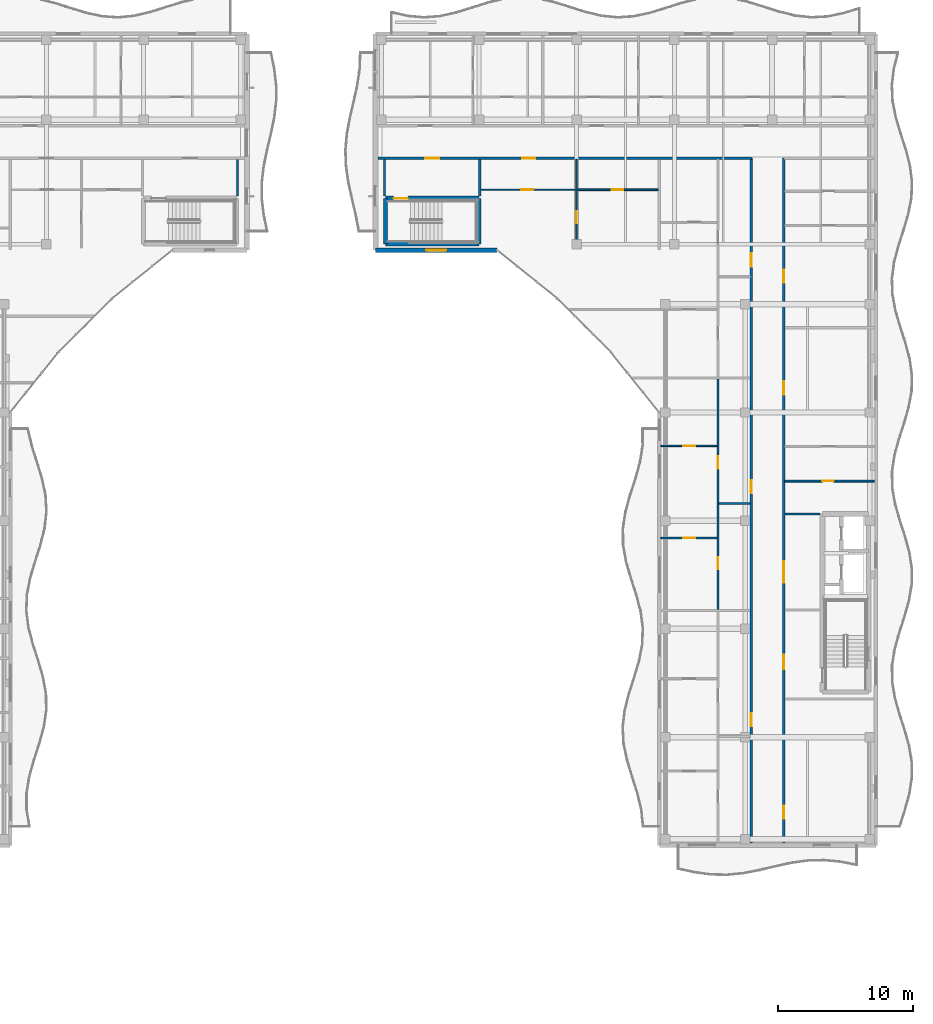
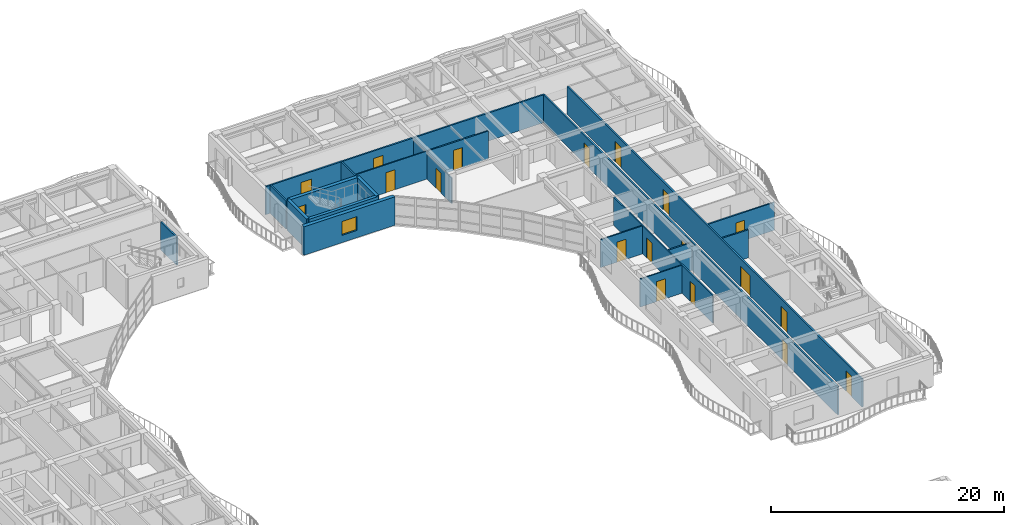
# One storey, part 60 of 89: 20 walls, 19 doors, 1 window, 20 openings.
"""IFC4 building model written with IfcOpenShell, lengths in metres."""

from ifc_helpers import new_model, si_unit, direction, frame, frame_2d, origin, place, context, subcontext, project, spatial, rectangle, extrude, material, layer, layer_set, type_object, element, fill, save


model = new_model("IFC4")

# Units and contexts
model_context = context("Model", 3, precision=1e-05, world=origin(), true_north=direction((0.0, 1.0)))
body_context = subcontext(model_context, "Body", "Model", "MODEL_VIEW")
ifc_project = project(units=[si_unit("LENGTHUNIT", "METRE"), si_unit("AREAUNIT", "SQUARE_METRE"), si_unit("VOLUMEUNIT", "CUBIC_METRE"), si_unit("PLANEANGLEUNIT", "RADIAN"), si_unit("MASSUNIT", "GRAM", prefix="KILO")], contexts=[model_context])

# Site, building, storey
site_placement = place(None, origin())
site = spatial("IfcSite", under=ifc_project, at=site_placement, CompositionType="ELEMENT")
building_placement = place(site_placement, origin())
building = spatial("IfcBuilding", under=site, at=building_placement, Name="Keldmere Railside Commons", CompositionType="ELEMENT")
storey_placement = place(building_placement, frame((0.0, 0.0, 7.360107421875)))
storey = spatial("IfcBuildingStorey", under=building, at=storey_placement, Name="L02", CompositionType="ELEMENT", Elevation=7.360107421875)

# Wall, openings, doors
ifc_material_1 = material(Name="Acoustic Gypsum Board Partition", Category="gypsum")
ifc_layer_1 = layer(ifc_material_1, 0.1201171875, Name="Apartment Interior Partition 120")
ifc_layer_set_1 = layer_set([ifc_layer_1], Name="Acoustic Gypsum Board Partition")
wall_type_1 = type_object("IfcWallType", Name="Apartment Interior Partition 120", PredefinedType="PARTITIONING", material=ifc_layer_set_1)
wall_1_placement = place(storey_placement, frame((172.340087890625, 73.449951171875, 0.0), z_axis=(0.0, 0.0, 1.0), x_axis=(0.0, 1.0, 0.0)))
wall_1 = element("IfcWall", 1, at=wall_1_placement, inside=storey, type_object=wall_type_1, Name="IW-4 IW-L02-1479", PredefinedType="PARTITIONING", context=body_context, shape_type="SweptSolid", body=[
    extrude(rectangle(XDim=17.010009765625, YDim=0.1201171875, at=frame_2d((8.5048828125, 0.0))), origin(), (0.0, 0.0, 1.0), 2.934814453125),
])
opening_1_placement = place(wall_1_placement, frame((2.9716796875, 0.0, 0.0)))
opening_1 = element("IfcOpeningElement", 2, at=opening_1_placement, cuts=wall_1, Name="Opening ID-04", PredefinedType="OPENING", context=body_context, shape_type="SweptSolid", body=[
    extrude(rectangle(XDim=0.860107421875, YDim=2.10009765625, at=frame_2d((0.43017578125, 1.050048828125))), frame((0.0, 0.070068359375, 0.0), z_axis=(0.0, -1.0, 0.0), x_axis=(1.0, 0.0, 0.0)), (0.0, 0.0, 1.0), 0.14013671875),
])
opening_2_placement = place(wall_1_placement, frame((10.393310546875, 0.0, 0.0)))
opening_2 = element("IfcOpeningElement", 3, at=opening_2_placement, cuts=wall_1, Name="Opening ID-03", PredefinedType="OPENING", context=body_context, shape_type="SweptSolid", body=[
    extrude(rectangle(XDim=0.919921875, YDim=2.10009765625, at=frame_2d((0.4599609375, 1.050048828125))), frame((0.0, 0.070068359375, 0.0), z_axis=(0.0, -1.0, 0.0), x_axis=(1.0, 0.0, 0.0)), (0.0, 0.0, 1.0), 0.14013671875),
])
ifc_material_2 = material(Name="Engineered Oak Timber", Category="wood")
door_type_1 = type_object("IfcDoorType", Name="Apartment Bathroom Door 860x2100", OperationType="NOTDEFINED", PredefinedType="DOOR", material=ifc_material_2)
door_1_placement = place(opening_1_placement, origin())
door_1 = element("IfcDoor", 4, at=door_1_placement, inside=storey, type_object=door_type_1, Name="ID-04 IDR-L02-1323", OperationType="SINGLE_SWING_LEFT", OverallHeight=2.10009765625, OverallWidth=0.860107421875, PredefinedType="DOOR", context=body_context, shape_type="SweptSolid", body=[
    extrude(rectangle(XDim=0.860107421875, YDim=2.10009765625, at=frame_2d((0.43017578125, 1.050048828125))), frame((0.0, 0.02490234375, 0.0), z_axis=(0.0, -1.0, 0.0), x_axis=(1.0, 0.0, 0.0)), (0.0, 0.0, 1.0), 0.050048828125),
])
fill(opening_1, door_1)
door_type_2 = type_object("IfcDoorType", Name="Kitchen Pocket-Frame Swing Door 920x2100", OperationType="NOTDEFINED", PredefinedType="DOOR", material=ifc_material_2)
door_2_placement = place(opening_2_placement, origin())
door_2 = element("IfcDoor", 5, at=door_2_placement, inside=storey, type_object=door_type_2, Name="ID-03 IDR-L02-1324", OperationType="SINGLE_SWING_RIGHT", OverallHeight=2.10009765625, OverallWidth=0.919921875, PredefinedType="DOOR", context=body_context, shape_type="SweptSolid", body=[
    extrude(rectangle(XDim=0.919921875, YDim=2.10009765625, at=frame_2d((0.4599609375, 1.050048828125))), frame((0.0, 0.02490234375, 0.0), z_axis=(0.0, -1.0, 0.0), x_axis=(1.0, 0.0, 0.0)), (0.0, 0.0, 1.0), 0.050048828125),
])
fill(opening_2, door_2)

# Wall, opening, door
wall_2_placement = place(storey_placement, frame((168.1201171875, 78.719970703125, 0.0), z_axis=(0.0, 0.0, 1.0), x_axis=(1.0, 0.0, 0.0)))
wall_2 = element("IfcWall", 6, at=wall_2_placement, inside=storey, type_object=wall_type_1, Name="IW-4 IW-L02-1481", PredefinedType="PARTITIONING", context=body_context, shape_type="SweptSolid", body=[
    extrude(rectangle(XDim=4.159912109375, YDim=0.1201171875, at=frame_2d((2.080078125, 0.0))), origin(), (0.0, 0.0, 1.0), 2.934814453125),
])
opening_3_placement = place(wall_2_placement, frame((1.6298828125, 0.0, 0.0)))
opening_3 = element("IfcOpeningElement", 7, at=opening_3_placement, cuts=wall_2, Name="Opening ID-01", PredefinedType="OPENING", context=body_context, shape_type="SweptSolid", body=[
    extrude(rectangle(XDim=0.89990234375, YDim=2.10009765625, at=frame_2d((0.449951171875, 1.050048828125))), frame((0.0, 0.070068359375, 0.0), z_axis=(0.0, -1.0, 0.0), x_axis=(1.0, 0.0, 0.0)), (0.0, 0.0, 1.0), 0.14013671875),
])
door_type_3 = type_object("IfcDoorType", Name="Primary Bedroom Door 900x2100", OperationType="NOTDEFINED", PredefinedType="DOOR", material=ifc_material_2)
door_3_placement = place(opening_3_placement, origin())
door_3 = element("IfcDoor", 8, at=door_3_placement, inside=storey, type_object=door_type_3, Name="ID-01 IDR-L02-1326", OperationType="SINGLE_SWING_RIGHT", OverallHeight=2.10009765625, OverallWidth=0.89990234375, PredefinedType="DOOR", context=body_context, shape_type="SweptSolid", body=[
    extrude(rectangle(XDim=0.89990234375, YDim=2.10009765625, at=frame_2d((0.449951171875, 1.050048828125))), frame((0.0, 0.02490234375, 0.0), z_axis=(0.0, -1.0, 0.0), x_axis=(1.0, 0.0, 0.0)), (0.0, 0.0, 1.0), 0.050048828125),
])
fill(opening_3, door_3)

wall_3_placement = place(storey_placement, frame((168.1201171875, 85.530029296875, 0.0), z_axis=(0.0, 0.0, 1.0), x_axis=(1.0, 0.0, 0.0)))
wall_3 = element("IfcWall", 9, at=wall_3_placement, inside=storey, type_object=wall_type_1, Name="IW-4 IW-L02-1482", PredefinedType="PARTITIONING", context=body_context, shape_type="SweptSolid", body=[
    extrude(rectangle(XDim=4.159912109375, YDim=0.1201171875, at=frame_2d((2.080078125, 0.0))), origin(), (0.0, 0.0, 1.0), 2.934814453125),
])
opening_4_placement = place(wall_3_placement, frame((1.639892578125, 0.0, 0.0)))
opening_4 = element("IfcOpeningElement", 10, at=opening_4_placement, cuts=wall_3, Name="Opening ID-02", PredefinedType="OPENING", context=body_context, shape_type="SweptSolid", body=[
    extrude(rectangle(XDim=0.8798828125, YDim=2.10009765625, at=frame_2d((0.43994140625, 1.050048828125))), frame((0.0, 0.070068359375, 0.0), z_axis=(0.0, -1.0, 0.0), x_axis=(1.0, 0.0, 0.0)), (0.0, 0.0, 1.0), 0.14013671875),
])
door_type_4 = type_object("IfcDoorType", Name="Secondary Bedroom Door 880x2100", OperationType="NOTDEFINED", PredefinedType="DOOR", material=ifc_material_2)
door_4_placement = place(opening_4_placement, origin())
door_4 = element("IfcDoor", 11, at=door_4_placement, inside=storey, type_object=door_type_4, Name="ID-02 IDR-L02-1327", OperationType="SINGLE_SWING_LEFT", OverallHeight=2.10009765625, OverallWidth=0.8798828125, PredefinedType="DOOR", context=body_context, shape_type="SweptSolid", body=[
    extrude(rectangle(XDim=0.8798828125, YDim=2.10009765625, at=frame_2d((0.43994140625, 1.050048828125))), frame((0.0, 0.02490234375, 0.0), z_axis=(0.0, -1.0, 0.0), x_axis=(1.0, 0.0, 0.0)), (0.0, 0.0, 1.0), 0.050048828125),
])
fill(opening_4, door_4)

wall_4_placement = place(storey_placement, frame((161.8798828125, 100.179931640625, 0.0), z_axis=(0.0, 0.0, 1.0), x_axis=(0.0, 1.0, 0.0)))
wall_4 = element("IfcWall", 12, at=wall_4_placement, inside=storey, type_object=wall_type_1, Name="IW-4 IW-L02-1498", PredefinedType="PARTITIONING", context=body_context, shape_type="SweptSolid", body=[
    extrude(rectangle(XDim=6.5400390625, YDim=0.1201171875, at=frame_2d((3.27001953125, 0.0))), origin(), (0.0, 0.0, 1.0), 2.679931640625),
])
opening_5_placement = place(wall_4_placement, frame((1.8017578125, 0.0, 0.0)))
opening_5 = element("IfcOpeningElement", 13, at=opening_5_placement, cuts=wall_4, Name="Opening ID-02", PredefinedType="OPENING", context=body_context, shape_type="SweptSolid", body=[
    extrude(rectangle(XDim=0.8798828125, YDim=2.10009765625, at=frame_2d((0.43994140625, 1.050048828125))), frame((0.0, 0.070068359375, 0.0), z_axis=(0.0, -1.0, 0.0), x_axis=(1.0, 0.0, 0.0)), (0.0, 0.0, 1.0), 0.14013671875),
])
door_5_placement = place(opening_5_placement, origin())
door_5 = element("IfcDoor", 14, at=door_5_placement, inside=storey, type_object=door_type_4, Name="ID-02 IDR-L02-1350", OperationType="SINGLE_SWING_RIGHT", OverallHeight=2.10009765625, OverallWidth=0.8798828125, PredefinedType="DOOR", context=body_context, shape_type="SweptSolid", body=[
    extrude(rectangle(XDim=0.8798828125, YDim=2.10009765625, at=frame_2d((0.43994140625, 1.050048828125))), frame((0.0, 0.02490234375, 0.0), z_axis=(0.0, -1.0, 0.0), x_axis=(1.0, 0.0, 0.0)), (0.0, 0.0, 1.0), 0.050048828125),
])
fill(opening_5, door_5)

ifc_layer_2 = layer(ifc_material_1, 0.10009765625, Name="Closet Light Partition 100")
ifc_layer_set_2 = layer_set([ifc_layer_2], Name="Acoustic Gypsum Board Partition")
wall_type_2 = type_object("IfcWallType", Name="Closet Light Partition 100", PredefinedType="PARTITIONING", material=ifc_layer_set_2)
wall_5_placement = place(storey_placement, frame((154.800048828125, 104.469970703125, 0.0), z_axis=(0.0, 0.0, 1.0), x_axis=(1.0, 0.0, 0.0)))
wall_5 = element("IfcWall", 15, at=wall_5_placement, inside=storey, type_object=wall_type_2, Name="IW-6 IW-L02-1500", PredefinedType="PARTITIONING", context=body_context, shape_type="SweptSolid", body=[
    extrude(rectangle(XDim=7.02001953125, YDim=0.10009765625, at=frame_2d((3.510009765625, 0.0))), origin(), (0.0, 0.0, 1.0), 2.934814453125),
])
opening_6_placement = place(wall_5_placement, frame((2.9736328125, 0.0, 0.0)))
opening_6 = element("IfcOpeningElement", 16, at=opening_6_placement, cuts=wall_5, Name="Opening ID-03", PredefinedType="OPENING", context=body_context, shape_type="SweptSolid", body=[
    extrude(rectangle(XDim=0.919921875, YDim=2.10009765625, at=frame_2d((0.4599609375, 1.050048828125))), frame((0.0, 0.06005859375, 0.0), z_axis=(0.0, -1.0, 0.0), x_axis=(1.0, 0.0, 0.0)), (0.0, 0.0, 1.0), 0.1201171875),
])
door_6_placement = place(opening_6_placement, origin())
door_6 = element("IfcDoor", 17, at=door_6_placement, inside=storey, type_object=door_type_2, Name="ID-03 IDR-L02-1349", OperationType="SINGLE_SWING_LEFT", OverallHeight=2.10009765625, OverallWidth=0.919921875, PredefinedType="DOOR", context=body_context, shape_type="SweptSolid", body=[
    extrude(rectangle(XDim=0.919921875, YDim=2.10009765625, at=frame_2d((0.4599609375, 1.050048828125))), frame((0.0, 0.02490234375, 0.0), z_axis=(0.0, -1.0, 0.0), x_axis=(1.0, 0.0, 0.0)), (0.0, 0.0, 1.0), 0.050048828125),
])
fill(opening_6, door_6)

# Wall, openings, doors
ifc_layer_3 = layer(ifc_material_1, 0.159912109375, Name="Corridor Fire Partition 160")
ifc_layer_set_3 = layer_set([ifc_layer_3], Name="Acoustic Gypsum Board Partition")
wall_type_3 = type_object("IfcWallType", Name="Corridor Fire Partition 160", PredefinedType="PARTITIONING", material=ifc_layer_set_3)
wall_6_placement = place(storey_placement, frame((174.800048828125, 56.179931640625, 0.0), z_axis=(0.0, 0.0, 1.0), x_axis=(0.0, 1.0, 0.0)))
wall_6 = element("IfcWall", 18, at=wall_6_placement, inside=storey, type_object=wall_type_3, Name="IW-2 IW-L02-1465", PredefinedType="PARTITIONING", context=body_context, shape_type="SweptSolid", body=[
    extrude(rectangle(XDim=50.6201171875, YDim=0.159912109375, at=frame_2d((25.31005859375, 0.0))), origin(), (0.0, 0.0, 1.0), 2.934814453125),
])
opening_7_placement = place(wall_6_placement, frame((8.610107421875, 0.0, 0.0)))
opening_7 = element("IfcOpeningElement", 19, at=opening_7_placement, cuts=wall_6, Name="Opening FD-7", PredefinedType="OPENING", context=body_context, shape_type="SweptSolid", body=[
    extrude(rectangle(XDim=0.97998046875, YDim=2.14990234375, at=frame_2d((0.489990234375, 1.074951171875))), frame((0.0, 0.08984375, 0.0), z_axis=(0.0, -1.0, 0.0), x_axis=(1.0, 0.0, 0.0)), (0.0, 0.0, 1.0), 0.179931640625),
])
opening_8_placement = place(wall_6_placement, frame((25.840087890625, 0.0, 0.0)))
opening_8 = element("IfcOpeningElement", 20, at=opening_8_placement, cuts=wall_6, Name="Opening FD-7", PredefinedType="OPENING", context=body_context, shape_type="SweptSolid", body=[
    extrude(rectangle(XDim=0.97998046875, YDim=2.14990234375, at=frame_2d((0.489990234375, 1.074951171875))), frame((0.0, 0.08984375, 0.0), z_axis=(0.0, -1.0, 0.0), x_axis=(1.0, 0.0, 0.0)), (0.0, 0.0, 1.0), 0.179931640625),
])
opening_9_placement = place(wall_6_placement, frame((42.610107421875, 0.0, 0.0)))
opening_9 = element("IfcOpeningElement", 21, at=opening_9_placement, cuts=wall_6, Name="Opening FD-7", PredefinedType="OPENING", context=body_context, shape_type="SweptSolid", body=[
    extrude(rectangle(XDim=0.97998046875, YDim=2.14990234375, at=frame_2d((0.489990234375, 1.074951171875))), frame((0.0, 0.08984375, 0.0), z_axis=(0.0, -1.0, 0.0), x_axis=(1.0, 0.0, 0.0)), (0.0, 0.0, 1.0), 0.179931640625),
])
door_type_5 = type_object("IfcDoorType", Name="Apartment Entrance Acoustic Fire Door 980x2150", OperationType="NOTDEFINED", PredefinedType="DOOR", material=ifc_material_2)
door_7_placement = place(opening_7_placement, origin())
door_7 = element("IfcDoor", 22, at=door_7_placement, inside=storey, type_object=door_type_5, Name="FD-7 IDR-L02-1320", OperationType="SINGLE_SWING_RIGHT", OverallHeight=2.14990234375, OverallWidth=0.97998046875, PredefinedType="DOOR", context=body_context, shape_type="SweptSolid", body=[
    extrude(rectangle(XDim=0.97998046875, YDim=2.14990234375, at=frame_2d((0.489990234375, 1.074951171875))), frame((0.0, 0.02490234375, 0.0), z_axis=(0.0, -1.0, 0.0), x_axis=(1.0, 0.0, 0.0)), (0.0, 0.0, 1.0), 0.050048828125),
])
fill(opening_7, door_7)
door_8_placement = place(opening_8_placement, origin())
door_8 = element("IfcDoor", 23, at=door_8_placement, inside=storey, type_object=door_type_5, Name="FD-7 IDR-L02-1325", OperationType="SINGLE_SWING_LEFT", OverallHeight=2.14990234375, OverallWidth=0.97998046875, PredefinedType="DOOR", context=body_context, shape_type="SweptSolid", body=[
    extrude(rectangle(XDim=0.97998046875, YDim=2.14990234375, at=frame_2d((0.489990234375, 1.074951171875))), frame((0.0, 0.02490234375, 0.0), z_axis=(0.0, -1.0, 0.0), x_axis=(1.0, 0.0, 0.0)), (0.0, 0.0, 1.0), 0.050048828125),
])
fill(opening_8, door_8)
door_9_placement = place(opening_9_placement, origin())
door_9 = element("IfcDoor", 24, at=door_9_placement, inside=storey, type_object=door_type_5, Name="FD-7 IDR-L02-1330", OperationType="SINGLE_SWING_RIGHT", OverallHeight=2.14990234375, OverallWidth=0.97998046875, PredefinedType="DOOR", context=body_context, shape_type="SweptSolid", body=[
    extrude(rectangle(XDim=0.97998046875, YDim=2.14990234375, at=frame_2d((0.489990234375, 1.074951171875))), frame((0.0, 0.02490234375, 0.0), z_axis=(0.0, -1.0, 0.0), x_axis=(1.0, 0.0, 0.0)), (0.0, 0.0, 1.0), 0.050048828125),
])
fill(opening_9, door_9)

wall_7_placement = place(storey_placement, frame((177.199951171875, 56.179931640625, 0.0), z_axis=(0.0, 0.0, 1.0), x_axis=(0.0, 1.0, 0.0)))
wall_7 = element("IfcWall", 25, at=wall_7_placement, inside=storey, type_object=wall_type_3, Name="IW-2 IW-L02-1466", PredefinedType="PARTITIONING", context=body_context, shape_type="SweptSolid", body=[
    extrude(rectangle(XDim=50.6201171875, YDim=0.159912109375, at=frame_2d((25.31005859375, 0.0))), origin(), (0.0, 0.0, 1.0), 2.934814453125),
])
opening_10_placement = place(wall_7_placement, frame((12.820068359375, 0.0, 0.0)))
opening_10 = element("IfcOpeningElement", 26, at=opening_10_placement, cuts=wall_7, Name="Opening FD-2", PredefinedType="OPENING", context=body_context, shape_type="SweptSolid", body=[
    extrude(rectangle(XDim=1.10009765625, YDim=2.14990234375, at=frame_2d((0.550048828125, 1.074951171875))), frame((0.0, 0.08984375, 0.0), z_axis=(0.0, -1.0, 0.0), x_axis=(1.0, 0.0, 0.0)), (0.0, 0.0, 1.0), 0.179931640625),
])
opening_11_placement = place(wall_7_placement, frame((19.219970703125, 0.0, 0.0)))
opening_11 = element("IfcOpeningElement", 27, at=opening_11_placement, cuts=wall_7, Name="Opening FD-4", PredefinedType="OPENING", context=body_context, shape_type="SweptSolid", body=[
    extrude(rectangle(XDim=1.60009765625, YDim=2.14990234375, at=frame_2d((0.800048828125, 1.074951171875))), frame((0.0, 0.08984375, 0.0), z_axis=(0.0, -1.0, 0.0), x_axis=(1.0, 0.0, 0.0)), (0.0, 0.0, 1.0), 0.179931640625),
])
opening_12_placement = place(wall_7_placement, frame((1.800048828125, 0.0, 0.0)))
opening_12 = element("IfcOpeningElement", 28, at=opening_12_placement, cuts=wall_7, Name="Opening ID-08", PredefinedType="OPENING", context=body_context, shape_type="SweptSolid", body=[
    extrude(rectangle(XDim=0.9599609375, YDim=2.14990234375, at=frame_2d((0.47998046875, 1.074951171875))), frame((0.0, 0.08984375, 0.0), z_axis=(0.0, -1.0, 0.0), x_axis=(1.0, 0.0, 0.0)), (0.0, 0.0, 1.0), 0.179931640625),
])
opening_13_placement = place(wall_7_placement, frame((33.14990234375, 0.0, 0.0)))
opening_13 = element("IfcOpeningElement", 29, at=opening_13_placement, cuts=wall_7, Name="Opening FD-7", PredefinedType="OPENING", context=body_context, shape_type="SweptSolid", body=[
    extrude(rectangle(XDim=0.97998046875, YDim=2.14990234375, at=frame_2d((0.489990234375, 1.074951171875))), frame((0.0, 0.08984375, 0.0), z_axis=(0.0, -1.0, 0.0), x_axis=(1.0, 0.0, 0.0)), (0.0, 0.0, 1.0), 0.179931640625),
])
opening_14_placement = place(wall_7_placement, frame((41.409912109375, 0.0, 0.0)))
opening_14 = element("IfcOpeningElement", 30, at=opening_14_placement, cuts=wall_7, Name="Opening FD-7", PredefinedType="OPENING", context=body_context, shape_type="SweptSolid", body=[
    extrude(rectangle(XDim=0.97998046875, YDim=2.14990234375, at=frame_2d((0.489990234375, 1.074951171875))), frame((0.0, 0.08984375, 0.0), z_axis=(0.0, -1.0, 0.0), x_axis=(1.0, 0.0, 0.0)), (0.0, 0.0, 1.0), 0.179931640625),
])
door_10_placement = place(opening_13_placement, origin())
door_10 = element("IfcDoor", 31, at=door_10_placement, inside=storey, type_object=door_type_5, Name="FD-7 IDR-L02-1355", OperationType="SINGLE_SWING_LEFT", OverallHeight=2.14990234375, OverallWidth=0.97998046875, PredefinedType="DOOR", context=body_context, shape_type="SweptSolid", body=[
    extrude(rectangle(XDim=0.97998046875, YDim=2.14990234375, at=frame_2d((0.489990234375, 1.074951171875))), frame((0.0, 0.02490234375, 0.0), z_axis=(0.0, -1.0, 0.0), x_axis=(1.0, 0.0, 0.0)), (0.0, 0.0, 1.0), 0.050048828125),
])
fill(opening_13, door_10)
door_11_placement = place(opening_14_placement, origin())
door_11 = element("IfcDoor", 32, at=door_11_placement, inside=storey, type_object=door_type_5, Name="FD-7 IDR-L02-1358", OperationType="SINGLE_SWING_RIGHT", OverallHeight=2.14990234375, OverallWidth=0.97998046875, PredefinedType="DOOR", context=body_context, shape_type="SweptSolid", body=[
    extrude(rectangle(XDim=0.97998046875, YDim=2.14990234375, at=frame_2d((0.489990234375, 1.074951171875))), frame((0.0, 0.02490234375, 0.0), z_axis=(0.0, -1.0, 0.0), x_axis=(1.0, 0.0, 0.0)), (0.0, 0.0, 1.0), 0.050048828125),
])
fill(opening_14, door_11)
ifc_material_3 = material(Name="Steel F-24 (S235)", Category="steel")
door_type_6 = type_object("IfcDoorType", Name="Corridor Cross-Compartment Double Fire Door 1600x2150", OperationType="DOUBLE_DOOR_SINGLE_SWING", PredefinedType="DOOR", material=ifc_material_3)
door_12_placement = place(opening_11_placement, origin())
door_12 = element("IfcDoor", 33, at=door_12_placement, inside=storey, type_object=door_type_6, Name="FD-4 IDR-L02-1317", OperationType="DOUBLE_DOOR_SINGLE_SWING", OverallHeight=2.14990234375, OverallWidth=1.60009765625, PredefinedType="DOOR", context=body_context, shape_type="SweptSolid", body=[
    extrude(rectangle(XDim=1.60009765625, YDim=2.14990234375, at=frame_2d((0.800048828125, 1.074951171875))), frame((0.0, 0.02490234375, 0.0), z_axis=(0.0, -1.0, 0.0), x_axis=(1.0, 0.0, 0.0)), (0.0, 0.0, 1.0), 0.050048828125),
])
fill(opening_11, door_12)
door_type_7 = type_object("IfcDoorType", Name="Firefighting Lobby Fire Door 1100x2150", OperationType="NOTDEFINED", PredefinedType="DOOR", material=ifc_material_3)
door_13_placement = place(opening_10_placement, origin())
door_13 = element("IfcDoor", 34, at=door_13_placement, inside=storey, type_object=door_type_7, Name="FD-2 IDR-L02-1316", OperationType="SINGLE_SWING_RIGHT", OverallHeight=2.14990234375, OverallWidth=1.10009765625, PredefinedType="DOOR", context=body_context, shape_type="SweptSolid", body=[
    extrude(rectangle(XDim=1.10009765625, YDim=2.14990234375, at=frame_2d((0.550048828125, 1.074951171875))), frame((0.0, 0.02490234375, 0.0), z_axis=(0.0, -1.0, 0.0), x_axis=(1.0, 0.0, 0.0)), (0.0, 0.0, 1.0), 0.050048828125),
])
fill(opening_10, door_13)
door_type_8 = type_object("IfcDoorType", Name="Study & Meeting Room Door 960x2150", OperationType="NOTDEFINED", PredefinedType="DOOR", material=ifc_material_2)
door_14_placement = place(opening_12_placement, origin())
door_14 = element("IfcDoor", 35, at=door_14_placement, inside=storey, type_object=door_type_8, Name="ID-08 IDR-L02-1352", OperationType="SINGLE_SWING_RIGHT", OverallHeight=2.14990234375, OverallWidth=0.9599609375, PredefinedType="DOOR", context=body_context, shape_type="SweptSolid", body=[
    extrude(rectangle(XDim=0.9599609375, YDim=2.14990234375, at=frame_2d((0.47998046875, 1.074951171875))), frame((0.0, 0.02490234375, 0.0), z_axis=(0.0, -1.0, 0.0), x_axis=(1.0, 0.0, 0.0)), (0.0, 0.0, 1.0), 0.050048828125),
])
fill(opening_12, door_14)

wall_8_placement = place(storey_placement, frame((147.179931640625, 106.800048828125, 0.0), z_axis=(0.0, 0.0, 1.0), x_axis=(1.0, 0.0, 0.0)))
wall_8 = element("IfcWall", 36, at=wall_8_placement, inside=storey, type_object=wall_type_3, Name="IW-2 IW-L02-1467", PredefinedType="PARTITIONING", context=body_context, shape_type="SweptSolid", body=[
    extrude(rectangle(XDim=27.6201171875, YDim=0.159912109375, at=frame_2d((13.81005859375, 0.0))), origin(), (0.0, 0.0, 1.0), 2.934814453125),
])
opening_15_placement = place(wall_8_placement, frame((3.4951171875, 0.0, 0.0)))
opening_15 = element("IfcOpeningElement", 37, at=opening_15_placement, cuts=wall_8, Name="Opening FD-1", PredefinedType="OPENING", context=body_context, shape_type="SweptSolid", body=[
    extrude(rectangle(XDim=1.050048828125, YDim=2.14990234375, at=frame_2d((0.52490234375, 1.074951171875))), frame((0.0, 0.08984375, 0.0), z_axis=(0.0, -1.0, 0.0), x_axis=(1.0, 0.0, 0.0)), (0.0, 0.0, 1.0), 0.179931640625),
])
opening_16_placement = place(wall_8_placement, frame((10.669921875, 0.0, 0.0)))
opening_16 = element("IfcOpeningElement", 38, at=opening_16_placement, cuts=wall_8, Name="Opening FD-7", PredefinedType="OPENING", context=body_context, shape_type="SweptSolid", body=[
    extrude(rectangle(XDim=0.97998046875, YDim=2.14990234375, at=frame_2d((0.489990234375, 1.074951171875))), frame((0.0, 0.08984375, 0.0), z_axis=(0.0, -1.0, 0.0), x_axis=(1.0, 0.0, 0.0)), (0.0, 0.0, 1.0), 0.179931640625),
])
door_15_placement = place(opening_16_placement, origin())
door_15 = element("IfcDoor", 39, at=door_15_placement, inside=storey, type_object=door_type_5, Name="FD-7 IDR-L02-1348", OperationType="SINGLE_SWING_RIGHT", OverallHeight=2.14990234375, OverallWidth=0.97998046875, PredefinedType="DOOR", context=body_context, shape_type="SweptSolid", body=[
    extrude(rectangle(XDim=0.97998046875, YDim=2.14990234375, at=frame_2d((0.489990234375, 1.074951171875))), frame((0.0, 0.02490234375, 0.0), z_axis=(0.0, -1.0, 0.0), x_axis=(1.0, 0.0, 0.0)), (0.0, 0.0, 1.0), 0.050048828125),
])
fill(opening_16, door_15)
door_type_9 = type_object("IfcDoorType", Name="Stair Core Fire Door 1050x2150", OperationType="NOTDEFINED", PredefinedType="DOOR", material=ifc_material_3)
door_16_placement = place(opening_15_placement, origin())
door_16 = element("IfcDoor", 40, at=door_16_placement, inside=storey, type_object=door_type_9, Name="FD-1 IDR-L02-1315", OperationType="SINGLE_SWING_LEFT", OverallHeight=2.14990234375, OverallWidth=1.050048828125, PredefinedType="DOOR", context=body_context, shape_type="SweptSolid", body=[
    extrude(rectangle(XDim=1.050048828125, YDim=2.14990234375, at=frame_2d((0.52490234375, 1.074951171875))), frame((0.0, 0.02490234375, 0.0), z_axis=(0.0, -1.0, 0.0), x_axis=(1.0, 0.0, 0.0)), (0.0, 0.0, 1.0), 0.050048828125),
])
fill(opening_15, door_16)

# Wall, opening, window
ifc_material_4 = material(Name="Concrete H-35 (C35/45)", Category="concrete")
ifc_layer_4 = layer(ifc_material_4, 0.360107421875, Name="Exterior Shear Wall 360")
ifc_layer_set_4 = layer_set([ifc_layer_4], Name="Concrete H-35 (C35/45)")
wall_type_4 = type_object("IfcWallType", Name="Exterior Shear Wall 360", PredefinedType="SHEAR", material=ifc_layer_set_4)
wall_9_placement = place(storey_placement, frame((156.0, 100.0, 0.0), z_axis=(0.0, 0.0, 1.0), x_axis=(-1.0, 0.0, 0.0)))
wall_9 = element("IfcWall", 41, at=wall_9_placement, inside=storey, type_object=wall_type_4, Name="ESW-1 EXTA-L02-0893", PredefinedType="SHEAR", context=body_context, shape_type="SweptSolid", body=[
    extrude(rectangle(XDim=9.0, YDim=0.360107421875, at=frame_2d((4.5, 0.0))), origin(), (0.0, 0.0, 1.0), 2.97998046875),
])
opening_17_placement = place(wall_9_placement, frame((3.77490234375, 0.0, 0.77001953125)))
opening_17 = element("IfcOpeningElement", 42, at=opening_17_placement, cuts=wall_9, Name="Opening WN-24", PredefinedType="OPENING", context=body_context, shape_type="SweptSolid", body=[
    extrude(rectangle(XDim=1.449951171875, YDim=1.449951171875, at=frame_2d((0.72509765625, 0.72509765625))), frame((0.0, 0.18994140625, 0.0), z_axis=(0.0, -1.0, 0.0), x_axis=(1.0, 0.0, 0.0)), (0.0, 0.0, 1.0), 0.380126953125),
])
ifc_material_5 = material(Name="Low-E Insulated Double Glazing", Category="glass")
window_type = type_object("IfcWindowType", Name="Setback Terrace Bedroom Window 1450x1450", PartitioningType="SINGLE_PANEL", PredefinedType="WINDOW", material=ifc_material_5)
window_placement = place(opening_17_placement, origin())
window = element("IfcWindow", 43, at=window_placement, inside=storey, type_object=window_type, Name="WN-24 WIN-L02-0618", OverallHeight=1.449951171875, OverallWidth=1.449951171875, PartitioningType="SINGLE_PANEL", PredefinedType="WINDOW", context=body_context, shape_type="SweptSolid", body=[
    extrude(rectangle(XDim=1.449951171875, YDim=1.449951171875, at=frame_2d((0.72509765625, 0.72509765625))), frame((0.0, 0.030029296875, 0.0), z_axis=(0.0, -1.0, 0.0), x_axis=(1.0, 0.0, 0.0)), (0.0, 0.0, 1.0), 0.06005859375),
])
fill(opening_17, window)

# Walls
ifc_layer_5 = layer(ifc_material_4, 0.300048828125, Name="Interior Shear Wall 300")
ifc_layer_set_5 = layer_set([ifc_layer_5], Name="Concrete H-35 (C35/45)")
wall_type_5 = type_object("IfcWallType", Name="Interior Shear Wall 300", PredefinedType="SHEAR", material=ifc_layer_set_5)
wall_10_placement = place(storey_placement, frame((147.75, 100.449951171875, 0.0), z_axis=(0.0, 0.0, 1.0), x_axis=(1.0, 0.0, 0.0)))
element("IfcWall", 44, at=wall_10_placement, inside=storey, type_object=wall_type_5, Name="ISW-2 COREA2S-L02-0740", PredefinedType="SHEAR", context=body_context, shape_type="SweptSolid", body=[
    extrude(rectangle(XDim=6.89990234375, YDim=0.300048828125, at=frame_2d((3.449951171875, 0.0))), origin(), (0.0, 0.0, 1.0), 3.199951171875),
])
for number, where, z_axis, x_axis, name in (
    (45, (147.75, 103.820068359375, 0.0), (0.0, 0.0, 1.0), (0.0, -1.0, 0.0), "ISW-2 COREA2W-L02-0742"),
    (46, (154.64990234375, 100.449951171875, 0.0), (0.0, 0.0, 1.0), (0.0, 1.0, 0.0), "ISW-2 COREA2E-L02-0743"),
):
    element("IfcWall", number, at=place(storey_placement, frame(where, z_axis=z_axis, x_axis=x_axis)), inside=storey, type_object=wall_type_5, Name=name, PredefinedType="SHEAR", context=body_context, shape_type="SweptSolid", body=[
        extrude(rectangle(XDim=3.3701171875, YDim=0.300048828125, at=frame_2d((1.68505859375, 0.0))), origin(), (0.0, 0.0, 1.0), 3.199951171875),
    ])

# Wall, opening, door
ifc_layer_6 = layer(ifc_material_4, 0.340087890625, Name="Interior Shear Wall 340")
ifc_layer_set_6 = layer_set([ifc_layer_6], Name="Concrete H-35 (C35/45)")
wall_type_6 = type_object("IfcWallType", Name="Interior Shear Wall 340", PredefinedType="SHEAR", material=ifc_layer_set_6)
wall_11_placement = place(storey_placement, frame((154.64990234375, 103.820068359375, 0.0), z_axis=(0.0, 0.0, 1.0), x_axis=(-1.0, 0.0, 0.0)))
wall_11 = element("IfcWall", 47, at=wall_11_placement, inside=storey, type_object=wall_type_6, Name="ISW-1 COREA2N-L02-0741", PredefinedType="SHEAR", context=body_context, shape_type="SweptSolid", body=[
    extrude(rectangle(XDim=6.89990234375, YDim=0.340087890625, at=frame_2d((3.449951171875, 0.0))), origin(), (0.0, 0.0, 1.0), 3.199951171875),
])
opening_18_placement = place(wall_11_placement, frame((5.25, 0.0, 0.0)))
opening_18 = element("IfcOpeningElement", 48, at=opening_18_placement, cuts=wall_11, Name="Opening FD-1", PredefinedType="OPENING", context=body_context, shape_type="SweptSolid", body=[
    extrude(rectangle(XDim=1.050048828125, YDim=2.14990234375, at=frame_2d((0.52490234375, 1.074951171875))), frame((0.0, 0.179931640625, 0.0), z_axis=(0.0, -1.0, 0.0), x_axis=(1.0, 0.0, 0.0)), (0.0, 0.0, 1.0), 0.360107421875),
])
door_17_placement = place(opening_18_placement, origin())
door_17 = element("IfcDoor", 49, at=door_17_placement, inside=storey, type_object=door_type_9, Name="FD-1 A2 L02", OperationType="SINGLE_SWING_RIGHT", OverallHeight=2.14990234375, OverallWidth=1.050048828125, PredefinedType="DOOR", context=body_context, shape_type="SweptSolid", body=[
    extrude(rectangle(XDim=1.050048828125, YDim=2.14990234375, at=frame_2d((0.52490234375, 1.074951171875))), frame((0.0, 0.02490234375, 0.0), z_axis=(0.0, -1.0, 0.0), x_axis=(1.0, 0.0, 0.0)), (0.0, 0.0, 1.0), 0.050048828125),
])
fill(opening_18, door_17)

# Walls
ifc_layer_7 = layer(ifc_material_1, 0.14990234375, Name="Lobby Rated Partition 150")
ifc_layer_set_7 = layer_set([ifc_layer_7], Name="Acoustic Gypsum Board Partition")
wall_type_7 = type_object("IfcWallType", Name="Lobby Rated Partition 150", PredefinedType="PARTITIONING", material=ifc_layer_set_7)
wall_12_placement = place(storey_placement, frame((136.820068359375, 103.989990234375, 0.0), z_axis=(0.0, 0.0, 1.0), x_axis=(0.0, 1.0, 0.0)))
element("IfcWall", 50, at=wall_12_placement, inside=storey, type_object=wall_type_7, Name="IW-3 IW-L02-0973", PredefinedType="PARTITIONING", context=body_context, shape_type="SweptSolid", body=[
    extrude(rectangle(XDim=2.72998046875, YDim=0.14990234375, at=frame_2d((1.364990234375, 0.0))), origin(), (0.0, 0.0, 1.0), 2.934814453125),
])
wall_13_placement = place(storey_placement, frame((177.280029296875, 80.5, 0.0), z_axis=(0.0, 0.0, 1.0), x_axis=(1.0, 0.0, 0.0)))
element("IfcWall", 51, at=wall_13_placement, inside=storey, type_object=wall_type_7, Name="IW-3 IW-L02-1464", PredefinedType="PARTITIONING", context=body_context, shape_type="SweptSolid", body=[
    extrude(rectangle(XDim=2.590087890625, YDim=0.14990234375, at=frame_2d((1.294921875, 0.0))), origin(), (0.0, 0.0, 1.0), 2.934814453125),
])
for number, where, z_axis, x_axis, name in (
    (52, (147.679931640625, 103.989990234375, 0.0), (0.0, 0.0, 1.0), (0.0, 1.0, 0.0), "IW-3 IW-L02-1471"),
    (53, (154.719970703125, 103.989990234375, 0.0), (0.0, 0.0, 1.0), (0.0, 1.0, 0.0), "IW-3 IW-L02-1472"),
):
    element("IfcWall", number, at=place(storey_placement, frame(where, z_axis=z_axis, x_axis=x_axis)), inside=storey, type_object=wall_type_7, Name=name, PredefinedType="PARTITIONING", context=body_context, shape_type="SweptSolid", body=[
        extrude(rectangle(XDim=2.72998046875, YDim=0.14990234375, at=frame_2d((1.364990234375, 0.0))), origin(), (0.0, 0.0, 1.0), 2.934814453125),
    ])
ifc_layer_8 = layer(ifc_material_1, 0.139892578125, Name="Wet-Room Sanitary Partition 140")
ifc_layer_set_8 = layer_set([ifc_layer_8], Name="Acoustic Gypsum Board Partition")
wall_type_8 = type_object("IfcWallType", Name="Wet-Room Sanitary Partition 140", PredefinedType="PARTITIONING", material=ifc_layer_set_8)
wall_14_placement = place(storey_placement, frame((172.39990234375, 81.27001953125, 0.0), z_axis=(0.0, 0.0, 1.0), x_axis=(1.0, 0.0, 0.0)))
element("IfcWall", 54, at=wall_14_placement, inside=storey, type_object=wall_type_8, Name="IW-5 IW-L02-1480", PredefinedType="PARTITIONING", context=body_context, shape_type="SweptSolid", body=[
    extrude(rectangle(XDim=2.320068359375, YDim=0.139892578125, at=frame_2d((1.16015625, 0.0))), origin(), (0.0, 0.0, 1.0), 2.934814453125),
])

# Wall, opening, door
wall_15_placement = place(storey_placement, frame((161.93994140625, 104.469970703125, 0.0), z_axis=(0.0, 0.0, 1.0), x_axis=(1.0, 0.0, 0.0)))
wall_15 = element("IfcWall", 55, at=wall_15_placement, inside=storey, type_object=wall_type_8, Name="IW-5 IW-L02-1499", PredefinedType="PARTITIONING", context=body_context, shape_type="SweptSolid", body=[
    extrude(rectangle(XDim=5.969970703125, YDim=0.139892578125, at=frame_2d((2.98486328125, 0.0))), origin(), (0.0, 0.0, 1.0), 2.934814453125),
])
opening_19_placement = place(wall_15_placement, frame((2.53271484375, 0.0, 0.0)))
opening_19 = element("IfcOpeningElement", 56, at=opening_19_placement, cuts=wall_15, Name="Opening ID-04", PredefinedType="OPENING", context=body_context, shape_type="SweptSolid", body=[
    extrude(rectangle(XDim=0.860107421875, YDim=2.10009765625, at=frame_2d((0.43017578125, 1.050048828125))), frame((0.0, 0.079833984375, 0.0), z_axis=(0.0, -1.0, 0.0), x_axis=(1.0, 0.0, 0.0)), (0.0, 0.0, 1.0), 0.159912109375),
])
door_18_placement = place(opening_19_placement, origin())
door_18 = element("IfcDoor", 57, at=door_18_placement, inside=storey, type_object=door_type_1, Name="ID-04 IDR-L02-1351", OperationType="SINGLE_SWING_LEFT", OverallHeight=2.10009765625, OverallWidth=0.860107421875, PredefinedType="DOOR", context=body_context, shape_type="SweptSolid", body=[
    extrude(rectangle(XDim=0.860107421875, YDim=2.10009765625, at=frame_2d((0.43017578125, 1.050048828125))), frame((0.0, 0.02490234375, 0.0), z_axis=(0.0, -1.0, 0.0), x_axis=(1.0, 0.0, 0.0)), (0.0, 0.0, 1.0), 0.050048828125),
])
fill(opening_19, door_18)

wall_16_placement = place(storey_placement, frame((177.280029296875, 82.929931640625, 0.0), z_axis=(0.0, 0.0, 1.0), x_axis=(1.0, 0.0, 0.0)))
wall_16 = element("IfcWall", 58, at=wall_16_placement, inside=storey, type_object=wall_type_8, Name="IW-5 IW-L02-1502", PredefinedType="PARTITIONING", context=body_context, shape_type="SweptSolid", body=[
    extrude(rectangle(XDim=6.599853515625, YDim=0.139892578125, at=frame_2d((3.2998046875, 0.0))), origin(), (0.0, 0.0, 1.0), 2.934814453125),
])
opening_20_placement = place(wall_16_placement, frame((2.77197265625, 0.0, 0.0)))
opening_20 = element("IfcOpeningElement", 59, at=opening_20_placement, cuts=wall_16, Name="Opening ID-04", PredefinedType="OPENING", context=body_context, shape_type="SweptSolid", body=[
    extrude(rectangle(XDim=0.860107421875, YDim=2.10009765625, at=frame_2d((0.43017578125, 1.050048828125))), frame((0.0, 0.079833984375, 0.0), z_axis=(0.0, -1.0, 0.0), x_axis=(1.0, 0.0, 0.0)), (0.0, 0.0, 1.0), 0.159912109375),
])
door_19_placement = place(opening_20_placement, origin())
door_19 = element("IfcDoor", 60, at=door_19_placement, inside=storey, type_object=door_type_1, Name="ID-04 IDR-L02-1353", OperationType="SINGLE_SWING_LEFT", OverallHeight=2.10009765625, OverallWidth=0.860107421875, PredefinedType="DOOR", context=body_context, shape_type="SweptSolid", body=[
    extrude(rectangle(XDim=0.860107421875, YDim=2.10009765625, at=frame_2d((0.43017578125, 1.050048828125))), frame((0.0, 0.02490234375, 0.0), z_axis=(0.0, -1.0, 0.0), x_axis=(1.0, 0.0, 0.0)), (0.0, 0.0, 1.0), 0.050048828125),
])
fill(opening_20, door_19)

save(model, "model.ifc")
